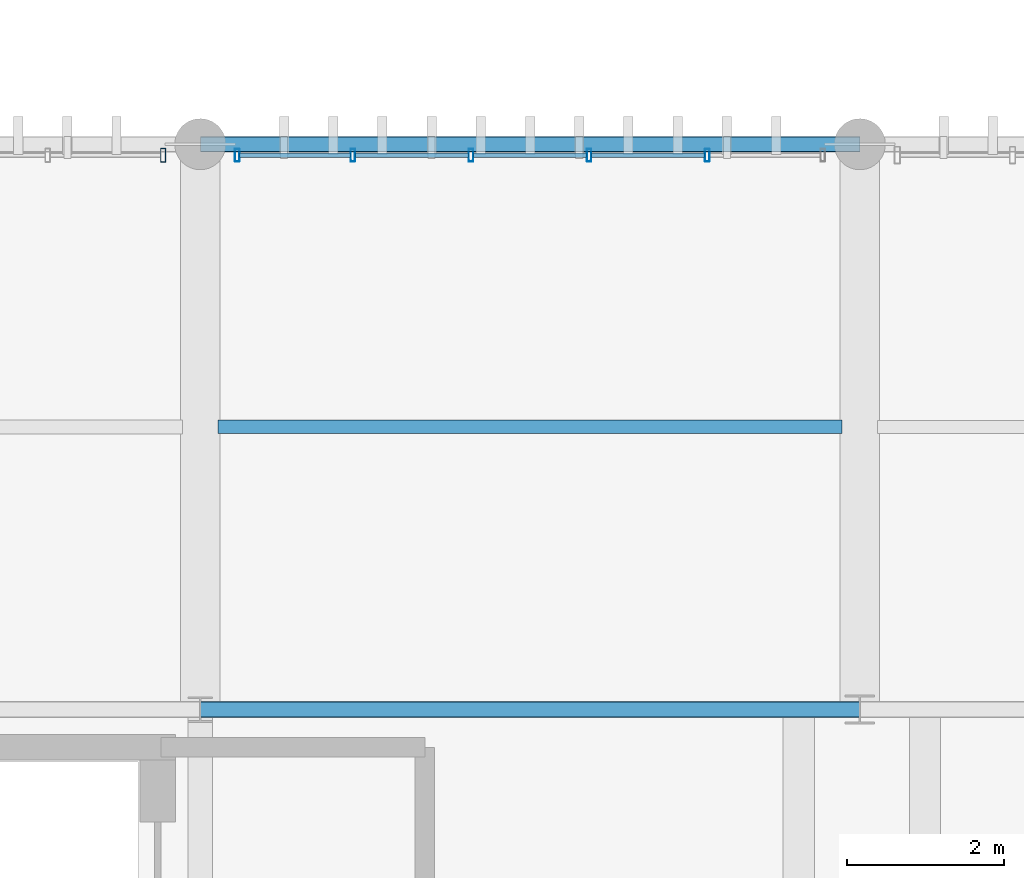
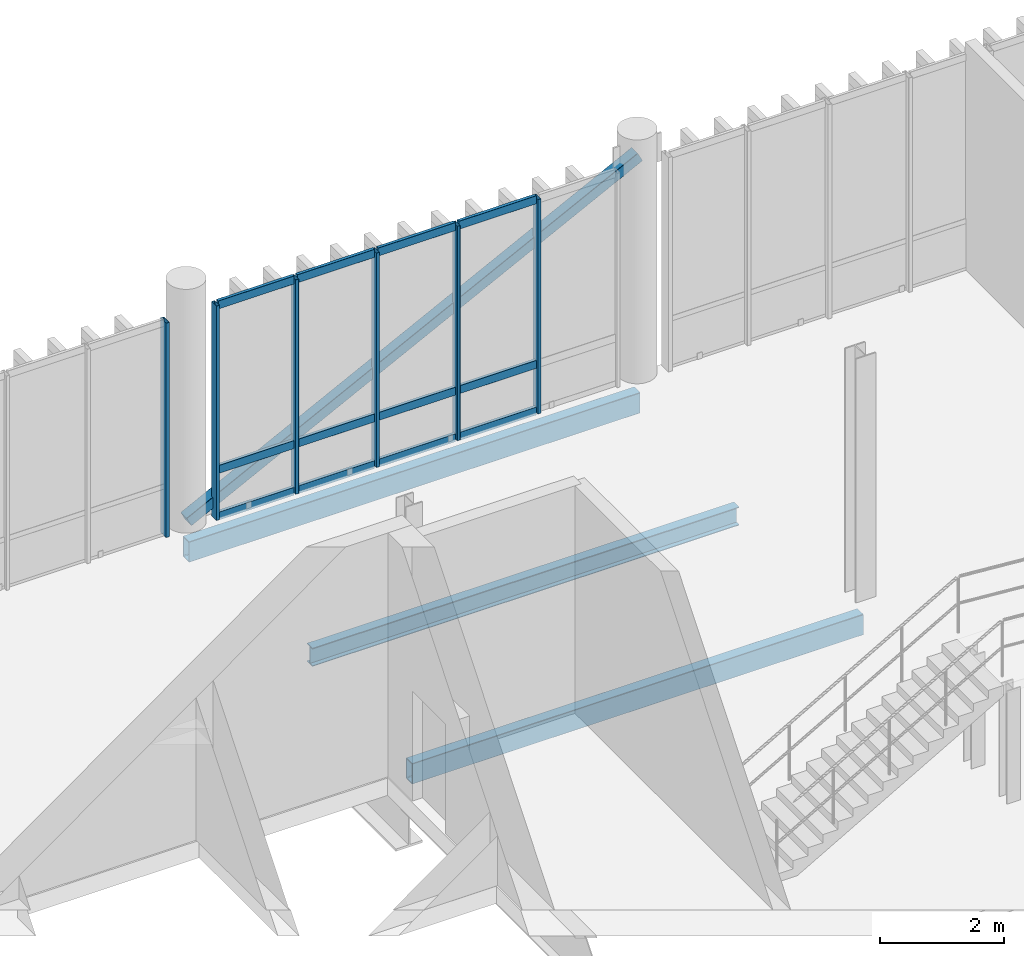
# One storey, part 28 of 86: 19 members, 3 beams, 2 elements without a shape of their own.
"""IFC4 building model written with IfcOpenShell, lengths in metres."""

from ifc_helpers import new_model, si_unit, direction, frame, origin_with_axes, origin_2d_with_axis, place, context, subcontext, project, spatial, hollow_rectangle, i_section, extrude, material, material_profile, profile_set, type_object, element, aggregate, save


model = new_model("IFC4")

# Units and contexts
model_context = context("Model", 3, precision=1e-05, world=origin_with_axes(), true_north=direction((0.0, 1.0)))
body_context = subcontext(model_context, "Body", "Model", "MODEL_VIEW")
ifc_project = project(units=[si_unit("LENGTHUNIT", "METRE"), si_unit("AREAUNIT", "SQUARE_METRE"), si_unit("VOLUMEUNIT", "CUBIC_METRE"), si_unit("PLANEANGLEUNIT", "RADIAN"), si_unit("MASSUNIT", "GRAM", prefix="KILO"), si_unit("THERMODYNAMICTEMPERATUREUNIT", "KELVIN")], contexts=[model_context])

# Site, building, storey
site_placement = place(None, origin_with_axes())
site = spatial("IfcSite", under=ifc_project, at=site_placement, CompositionType="ELEMENT")
building_placement = place(site_placement, origin_with_axes())
building = spatial("IfcBuilding", under=site, at=building_placement, Name="Montbau Bow Law Courts", CompositionType="ELEMENT")
storey_placement = place(building_placement, frame((0.0, 0.0, 29.7), z_axis=(0.0, 0.0, 1.0), x_axis=(1.0, 0.0, 0.0)))
storey = spatial("IfcBuildingStorey", under=building, at=storey_placement, Name="L06", CompositionType="ELEMENT", Elevation=29.7)

# Beams
ifc_material_1 = material(Name="Steel CSA G40.21 Grade 350W (350 MPa)", Category="steel")
ifc_material_profile_1 = material_profile(ifc_material_1, i_section(OverallWidth=0.172, OverallDepth=0.358, WebThickness=0.0079, FlangeThickness=0.0131, at=origin_2d_with_axis()), Name="W360X57", Category="Main", Priority=0)
ifc_profile_set_1 = profile_set([ifc_material_profile_1], Name="Steel CSA G40.21 Grade 350W (350 MPa)")
beam_type_1 = type_object("IfcBeamType", Name="B-JST-03", PredefinedType="JOIST", material=ifc_profile_set_1)
beam_placement = place(None, frame((63.826, 58.2, 29.181), z_axis=(1.0, 0.0, 0.0), x_axis=(0.0, 1.0, 0.0)))
element("IfcBeam", 1, at=beam_placement, inside=storey, type_object=beam_type_1, Name="JST-L06-S0518:jst2_0518", PredefinedType="JOIST", context=body_context, shape_type="SweptSolid", body=[
    extrude(i_section(OverallWidth=0.172, OverallDepth=0.358, WebThickness=0.0079, FlangeThickness=0.0131, at=origin_2d_with_axis()), origin_with_axes(), (0.0, 0.0, 1.0), 7.948),
])
ifc_material_2 = material(Name="Steel CSA G40.21 Grade 350WT (350 MPa)", Category="steel")
ifc_material_profile_2 = material_profile(ifc_material_2, hollow_rectangle(XDim=0.203, YDim=0.406, WallThickness=0.0127, InnerFilletRadius=0.0254, OuterFilletRadius=0.0127, at=origin_2d_with_axis()), Name="HSS406X203X13", Category="Main", Priority=0)
ifc_profile_set_2 = profile_set([ifc_material_profile_2], Name="Steel CSA G40.21 Grade 350WT (350 MPa)")
beam_type_2 = type_object("IfcBeamType", Name="B-SPN-01", PredefinedType="SPANDREL", material=ifc_profile_set_2)
for number, where, z_axis, x_axis, name in (
    (2, (63.6, 54.6, 29.157), (1.0, 0.0, 0.0), (0.0, 1.0, 0.0), "SPN-L06-S1003:bm2_1006"),
    (3, (63.6, 61.8, 29.157), (1.0, 0.0, 0.0), (0.0, 1.0, 0.0), "SPN-L06-S1015:bm2_1018"),
):
    element("IfcBeam", number, at=place(None, frame(where, z_axis=z_axis, x_axis=x_axis)), inside=storey, type_object=beam_type_2, Name=name, PredefinedType="SPANDREL", context=body_context, shape_type="SweptSolid", body=[
        extrude(hollow_rectangle(XDim=0.203, YDim=0.406, WallThickness=0.0127, InnerFilletRadius=0.0254, OuterFilletRadius=0.0127, at=origin_2d_with_axis()), origin_with_axes(), (0.0, 0.0, 1.0), 8.4),
    ])

# Member
ifc_material_profile_3 = material_profile(ifc_material_1, hollow_rectangle(XDim=0.203, YDim=0.203, WallThickness=0.0111, InnerFilletRadius=0.0222, OuterFilletRadius=0.0111, at=origin_2d_with_axis()), Name="HSS203X203X11", Category="Main", Priority=0)
ifc_profile_set_3 = profile_set([ifc_material_profile_3], Name="Steel CSA G40.21 Grade 350W (350 MPa)")
member_type_1 = type_object("IfcMemberType", Name="M-BRC-02", PredefinedType="BRACE", material=ifc_profile_set_3)
member_1_placement = place(None, frame((63.6, 61.8, 29.75), z_axis=(0.892420948, 0.0, 0.451203781), x_axis=(0.0, 1.0, 0.0)))
element("IfcMember", 4, at=member_1_placement, inside=storey, type_object=member_type_1, Name="Diagonal brace CBF-L06-058A", PredefinedType="BRACE", context=body_context, shape_type="SweptSolid", body=[
    extrude(hollow_rectangle(XDim=0.203, YDim=0.203, WallThickness=0.0111, InnerFilletRadius=0.0222, OuterFilletRadius=0.0111, at=origin_2d_with_axis()), origin_with_axes(), (0.0, 0.0, 1.0), 9.412598),
])

# Curtain wall, member
ifc_material_3 = material(Name="Thermally Broken Extruded Aluminium AA 6063-T6", Category="aluminium")
curtain_wall_type = type_object("IfcCurtainWallType", Name="CW-CRM-02", PredefinedType="NOTDEFINED", material=ifc_material_3)
curtain_wall_1_placement = place(None, frame((55.64, 61.66, 29.7), z_axis=(0.0, 0.0, 1.0), x_axis=(1.0, 0.0, 0.0)))
curtain_wall_1 = element("IfcCurtainWall", 5, at=curtain_wall_1_placement, inside=storey, type_object=curtain_wall_type, Name="CW-L06-229:cw_0229", PredefinedType="NOTDEFINED")
ifc_material_profile_4 = material_profile(ifc_material_3, hollow_rectangle(XDim=0.065, YDim=0.18, WallThickness=0.005, InnerFilletRadius=0.01, OuterFilletRadius=0.005, at=origin_2d_with_axis()), Name="CWM-180X65", Category="Main", Priority=0)
ifc_profile_set_4 = profile_set([ifc_material_profile_4], Name="Thermally Broken Extruded Aluminium AA 6063-T6")
member_type_2 = type_object("IfcMemberType", Name="M-MUL-02", PredefinedType="MULLION", material=ifc_profile_set_4)
member_2_placement = place(None, frame((63.127, 61.66, 29.7), z_axis=(0.0, 0.0, 1.0), x_axis=(1.0, 0.0, 0.0)))
member_2 = element("IfcMember", 6, at=member_2_placement, type_object=member_type_2, Name="CW-L06-229-M06:cw_0229_M06", PredefinedType="MULLION", context=body_context, shape_type="SweptSolid", body=[
    extrude(hollow_rectangle(XDim=0.065, YDim=0.18, WallThickness=0.005, InnerFilletRadius=0.01, OuterFilletRadius=0.005, at=origin_2d_with_axis()), origin_with_axes(), (0.0, 0.0, 1.0), 4.22),
])
aggregate(curtain_wall_1, [member_2])

# Curtain wall, members
curtain_wall_2_placement = place(None, frame((64.04, 61.66, 29.7), z_axis=(0.0, 0.0, 1.0), x_axis=(1.0, 0.0, 0.0)))
curtain_wall_2 = element("IfcCurtainWall", 7, at=curtain_wall_2_placement, inside=storey, type_object=curtain_wall_type, Name="CW-L06-230:cw_0230", PredefinedType="NOTDEFINED")
ifc_material_profile_5 = material_profile(ifc_material_3, hollow_rectangle(XDim=0.06, YDim=0.16, WallThickness=0.004, InnerFilletRadius=0.008, OuterFilletRadius=0.004, at=origin_2d_with_axis()), Name="CWM-160X60", Category="Main", Priority=0)
ifc_profile_set_5 = profile_set([ifc_material_profile_5], Name="Thermally Broken Extruded Aluminium AA 6063-T6")
member_type_3 = type_object("IfcMemberType", Name="M-MUL-03", PredefinedType="MULLION", material=ifc_profile_set_5)
member_3_placement = place(None, frame((64.07, 61.66, 29.7), z_axis=(0.0, 0.0, 1.0), x_axis=(1.0, 0.0, 0.0)))
member_3 = element("IfcMember", 8, at=member_3_placement, type_object=member_type_3, Name="CW-L06-230-M01:cw_0230_M01", PredefinedType="MULLION", context=body_context, shape_type="SweptSolid", body=[
    extrude(hollow_rectangle(XDim=0.06, YDim=0.16, WallThickness=0.004, InnerFilletRadius=0.008, OuterFilletRadius=0.004, at=origin_2d_with_axis()), origin_with_axes(), (0.0, 0.0, 1.0), 4.22),
])
member_4_placement = place(None, frame((65.544, 61.66, 29.7), z_axis=(0.0, 0.0, 1.0), x_axis=(1.0, 0.0, 0.0)))
member_4 = element("IfcMember", 9, at=member_4_placement, type_object=member_type_3, Name="CW-L06-230-M02:cw_0230_M02", PredefinedType="MULLION", context=body_context, shape_type="SweptSolid", body=[
    extrude(hollow_rectangle(XDim=0.06, YDim=0.16, WallThickness=0.004, InnerFilletRadius=0.008, OuterFilletRadius=0.004, at=origin_2d_with_axis()), origin_with_axes(), (0.0, 0.0, 1.0), 4.22),
])
member_5_placement = place(None, frame((67.048, 61.66, 29.7), z_axis=(0.0, 0.0, 1.0), x_axis=(1.0, 0.0, 0.0)))
member_5 = element("IfcMember", 10, at=member_5_placement, type_object=member_type_3, Name="CW-L06-230-M03:cw_0230_M03", PredefinedType="MULLION", context=body_context, shape_type="SweptSolid", body=[
    extrude(hollow_rectangle(XDim=0.06, YDim=0.16, WallThickness=0.004, InnerFilletRadius=0.008, OuterFilletRadius=0.004, at=origin_2d_with_axis()), origin_with_axes(), (0.0, 0.0, 1.0), 4.22),
])
member_6_placement = place(None, frame((68.552, 61.66, 29.7), z_axis=(0.0, 0.0, 1.0), x_axis=(1.0, 0.0, 0.0)))
member_6 = element("IfcMember", 11, at=member_6_placement, type_object=member_type_3, Name="CW-L06-230-M04:cw_0230_M04", PredefinedType="MULLION", context=body_context, shape_type="SweptSolid", body=[
    extrude(hollow_rectangle(XDim=0.06, YDim=0.16, WallThickness=0.004, InnerFilletRadius=0.008, OuterFilletRadius=0.004, at=origin_2d_with_axis()), origin_with_axes(), (0.0, 0.0, 1.0), 4.22),
])
member_7_placement = place(None, frame((70.056, 61.66, 29.7), z_axis=(0.0, 0.0, 1.0), x_axis=(1.0, 0.0, 0.0)))
member_7 = element("IfcMember", 12, at=member_7_placement, type_object=member_type_3, Name="CW-L06-230-M05:cw_0230_M05", PredefinedType="MULLION", context=body_context, shape_type="SweptSolid", body=[
    extrude(hollow_rectangle(XDim=0.06, YDim=0.16, WallThickness=0.004, InnerFilletRadius=0.008, OuterFilletRadius=0.004, at=origin_2d_with_axis()), origin_with_axes(), (0.0, 0.0, 1.0), 4.22),
])
ifc_material_profile_6 = material_profile(ifc_material_3, hollow_rectangle(XDim=0.06, YDim=0.16, WallThickness=0.004, InnerFilletRadius=0.008, OuterFilletRadius=0.004, at=origin_2d_with_axis()), Name="CWT-160X60", Category="Main", Priority=0)
ifc_profile_set_6 = profile_set([ifc_material_profile_6], Name="Thermally Broken Extruded Aluminium AA 6063-T6")
member_type_4 = type_object("IfcMemberType", Name="M-TRN-01", PredefinedType="USERDEFINED", material=ifc_profile_set_6)
member_8_placement = place(None, frame((64.102, 61.66, 29.73), z_axis=(1.0, 0.0, 0.0), x_axis=(0.0, 1.0, 0.0)))
member_8 = element("IfcMember", 13, at=member_8_placement, type_object=member_type_4, Name="CW-L06-230-T01-1:cw_0230_T01_1", ObjectType="TRANSOM", PredefinedType="USERDEFINED", context=body_context, shape_type="SweptSolid", body=[
    extrude(hollow_rectangle(XDim=0.06, YDim=0.16, WallThickness=0.004, InnerFilletRadius=0.008, OuterFilletRadius=0.004, at=origin_2d_with_axis()), origin_with_axes(), (0.0, 0.0, 1.0), 1.41),
])
member_9_placement = place(None, frame((64.102, 61.66, 30.65), z_axis=(1.0, 0.0, 0.0), x_axis=(0.0, 1.0, 0.0)))
member_9 = element("IfcMember", 14, at=member_9_placement, type_object=member_type_4, Name="CW-L06-230-T01-2:cw_0230_T01_2", ObjectType="TRANSOM", PredefinedType="USERDEFINED", context=body_context, shape_type="SweptSolid", body=[
    extrude(hollow_rectangle(XDim=0.06, YDim=0.16, WallThickness=0.004, InnerFilletRadius=0.008, OuterFilletRadius=0.004, at=origin_2d_with_axis()), origin_with_axes(), (0.0, 0.0, 1.0), 1.41),
])
member_10_placement = place(None, frame((64.102, 61.66, 33.89), z_axis=(1.0, 0.0, 0.0), x_axis=(0.0, 1.0, 0.0)))
member_10 = element("IfcMember", 15, at=member_10_placement, type_object=member_type_4, Name="CW-L06-230-T01-3:cw_0230_T01_3", ObjectType="TRANSOM", PredefinedType="USERDEFINED", context=body_context, shape_type="SweptSolid", body=[
    extrude(hollow_rectangle(XDim=0.06, YDim=0.16, WallThickness=0.004, InnerFilletRadius=0.008, OuterFilletRadius=0.004, at=origin_2d_with_axis()), origin_with_axes(), (0.0, 0.0, 1.0), 1.41),
])
member_11_placement = place(None, frame((65.576, 61.66, 29.73), z_axis=(1.0, 0.0, 0.0), x_axis=(0.0, 1.0, 0.0)))
member_11 = element("IfcMember", 16, at=member_11_placement, type_object=member_type_4, Name="CW-L06-230-T02-1:cw_0230_T02_1", ObjectType="TRANSOM", PredefinedType="USERDEFINED", context=body_context, shape_type="SweptSolid", body=[
    extrude(hollow_rectangle(XDim=0.06, YDim=0.16, WallThickness=0.004, InnerFilletRadius=0.008, OuterFilletRadius=0.004, at=origin_2d_with_axis()), origin_with_axes(), (0.0, 0.0, 1.0), 1.44),
])
member_12_placement = place(None, frame((65.576, 61.66, 30.65), z_axis=(1.0, 0.0, 0.0), x_axis=(0.0, 1.0, 0.0)))
member_12 = element("IfcMember", 17, at=member_12_placement, type_object=member_type_4, Name="CW-L06-230-T02-2:cw_0230_T02_2", ObjectType="TRANSOM", PredefinedType="USERDEFINED", context=body_context, shape_type="SweptSolid", body=[
    extrude(hollow_rectangle(XDim=0.06, YDim=0.16, WallThickness=0.004, InnerFilletRadius=0.008, OuterFilletRadius=0.004, at=origin_2d_with_axis()), origin_with_axes(), (0.0, 0.0, 1.0), 1.44),
])
member_13_placement = place(None, frame((65.576, 61.66, 33.89), z_axis=(1.0, 0.0, 0.0), x_axis=(0.0, 1.0, 0.0)))
member_13 = element("IfcMember", 18, at=member_13_placement, type_object=member_type_4, Name="CW-L06-230-T02-3:cw_0230_T02_3", ObjectType="TRANSOM", PredefinedType="USERDEFINED", context=body_context, shape_type="SweptSolid", body=[
    extrude(hollow_rectangle(XDim=0.06, YDim=0.16, WallThickness=0.004, InnerFilletRadius=0.008, OuterFilletRadius=0.004, at=origin_2d_with_axis()), origin_with_axes(), (0.0, 0.0, 1.0), 1.44),
])
member_14_placement = place(None, frame((67.08, 61.66, 29.73), z_axis=(1.0, 0.0, 0.0), x_axis=(0.0, 1.0, 0.0)))
member_14 = element("IfcMember", 19, at=member_14_placement, type_object=member_type_4, Name="CW-L06-230-T03-1:cw_0230_T03_1", ObjectType="TRANSOM", PredefinedType="USERDEFINED", context=body_context, shape_type="SweptSolid", body=[
    extrude(hollow_rectangle(XDim=0.06, YDim=0.16, WallThickness=0.004, InnerFilletRadius=0.008, OuterFilletRadius=0.004, at=origin_2d_with_axis()), origin_with_axes(), (0.0, 0.0, 1.0), 1.44),
])
member_15_placement = place(None, frame((67.08, 61.66, 30.65), z_axis=(1.0, 0.0, 0.0), x_axis=(0.0, 1.0, 0.0)))
member_15 = element("IfcMember", 20, at=member_15_placement, type_object=member_type_4, Name="CW-L06-230-T03-2:cw_0230_T03_2", ObjectType="TRANSOM", PredefinedType="USERDEFINED", context=body_context, shape_type="SweptSolid", body=[
    extrude(hollow_rectangle(XDim=0.06, YDim=0.16, WallThickness=0.004, InnerFilletRadius=0.008, OuterFilletRadius=0.004, at=origin_2d_with_axis()), origin_with_axes(), (0.0, 0.0, 1.0), 1.44),
])
member_16_placement = place(None, frame((67.08, 61.66, 33.89), z_axis=(1.0, 0.0, 0.0), x_axis=(0.0, 1.0, 0.0)))
member_16 = element("IfcMember", 21, at=member_16_placement, type_object=member_type_4, Name="CW-L06-230-T03-3:cw_0230_T03_3", ObjectType="TRANSOM", PredefinedType="USERDEFINED", context=body_context, shape_type="SweptSolid", body=[
    extrude(hollow_rectangle(XDim=0.06, YDim=0.16, WallThickness=0.004, InnerFilletRadius=0.008, OuterFilletRadius=0.004, at=origin_2d_with_axis()), origin_with_axes(), (0.0, 0.0, 1.0), 1.44),
])
member_17_placement = place(None, frame((68.584, 61.66, 29.73), z_axis=(1.0, 0.0, 0.0), x_axis=(0.0, 1.0, 0.0)))
member_17 = element("IfcMember", 22, at=member_17_placement, type_object=member_type_4, Name="CW-L06-230-T04-1:cw_0230_T04_1", ObjectType="TRANSOM", PredefinedType="USERDEFINED", context=body_context, shape_type="SweptSolid", body=[
    extrude(hollow_rectangle(XDim=0.06, YDim=0.16, WallThickness=0.004, InnerFilletRadius=0.008, OuterFilletRadius=0.004, at=origin_2d_with_axis()), origin_with_axes(), (0.0, 0.0, 1.0), 1.44),
])
member_18_placement = place(None, frame((68.584, 61.66, 30.65), z_axis=(1.0, 0.0, 0.0), x_axis=(0.0, 1.0, 0.0)))
member_18 = element("IfcMember", 23, at=member_18_placement, type_object=member_type_4, Name="CW-L06-230-T04-2:cw_0230_T04_2", ObjectType="TRANSOM", PredefinedType="USERDEFINED", context=body_context, shape_type="SweptSolid", body=[
    extrude(hollow_rectangle(XDim=0.06, YDim=0.16, WallThickness=0.004, InnerFilletRadius=0.008, OuterFilletRadius=0.004, at=origin_2d_with_axis()), origin_with_axes(), (0.0, 0.0, 1.0), 1.44),
])
member_19_placement = place(None, frame((68.584, 61.66, 33.89), z_axis=(1.0, 0.0, 0.0), x_axis=(0.0, 1.0, 0.0)))
member_19 = element("IfcMember", 24, at=member_19_placement, type_object=member_type_4, Name="CW-L06-230-T04-3:cw_0230_T04_3", ObjectType="TRANSOM", PredefinedType="USERDEFINED", context=body_context, shape_type="SweptSolid", body=[
    extrude(hollow_rectangle(XDim=0.06, YDim=0.16, WallThickness=0.004, InnerFilletRadius=0.008, OuterFilletRadius=0.004, at=origin_2d_with_axis()), origin_with_axes(), (0.0, 0.0, 1.0), 1.44),
])
aggregate(curtain_wall_2, [member_3, member_4, member_5, member_6, member_7, member_8, member_9, member_10, member_11, member_12, member_13, member_14, member_15, member_16, member_17, member_18, member_19])

save(model, "model.ifc")
